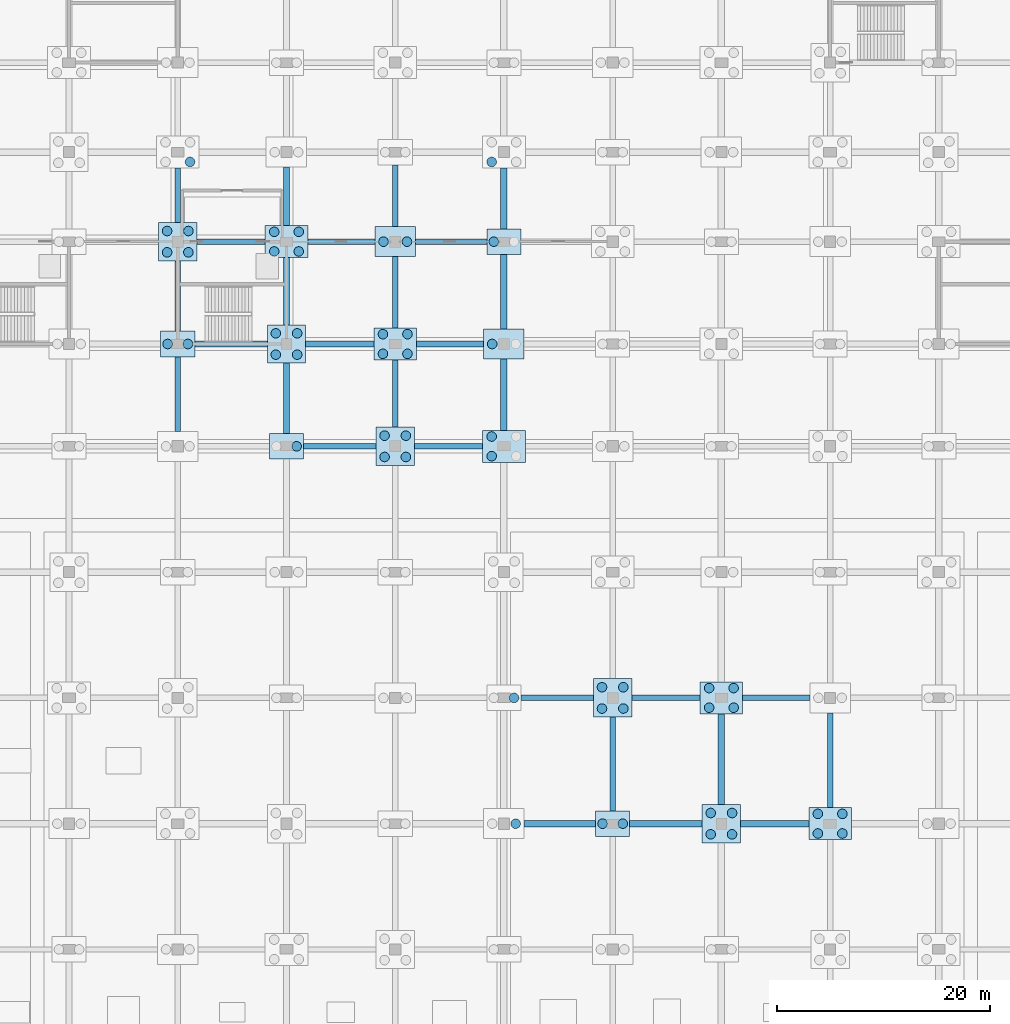
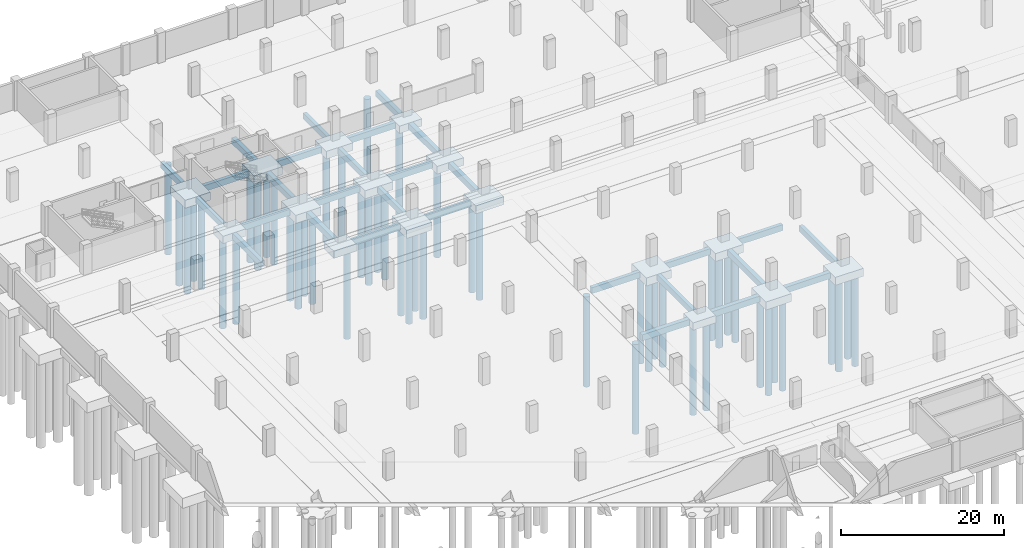
# One storey, part 7 of 52: 51 piles, 45 footings.
"""IFC4 building model written with IfcOpenShell, lengths in metres."""

from ifc_helpers import new_model, si_unit, direction, frame, origin, origin_2d, place, context, subcontext, project, spatial, polyline, rectangle, circle, outline, extrude, material, material_profile, profile_set, type_object, element, save


model = new_model("IFC4")

# Units and contexts
model_context = context("Model", 3, precision=1e-05, world=origin(), true_north=direction((0.0, 1.0)))
body_context = subcontext(model_context, "Body", "Model", "MODEL_VIEW")
ifc_project = project(units=[si_unit("LENGTHUNIT", "METRE"), si_unit("AREAUNIT", "SQUARE_METRE"), si_unit("VOLUMEUNIT", "CUBIC_METRE"), si_unit("PLANEANGLEUNIT", "RADIAN"), si_unit("MASSUNIT", "GRAM", prefix="KILO")], contexts=[model_context])

# Site, building, storey
site_placement = place(None, origin())
site = spatial("IfcSite", under=ifc_project, at=site_placement, CompositionType="ELEMENT")
building_placement = place(site_placement, origin())
building = spatial("IfcBuilding", under=site, at=building_placement, Name="Brelvane Convention Centre", CompositionType="ELEMENT")
storey_placement = place(building_placement, frame((0.0, 0.0, -4.5)))
storey = spatial("IfcBuildingStorey", under=building, at=storey_placement, Name="B1", CompositionType="ELEMENT", Elevation=-4.5)

# Piles
ifc_material_1 = material(Name="Concrete M40", Category="concrete")
ifc_material_profile_1 = material_profile(ifc_material_1, circle(Radius=0.449951171875, at=origin_2d()), Name="PILE D900")
ifc_profile_set_1 = profile_set([ifc_material_profile_1], Name="Concrete M40")
pile_type = type_object("IfcPileType", Name="Bored Pile PL-900", PredefinedType="BORED", material=ifc_profile_set_1)
for number, where, z_axis, x_axis, name in (
    (1, (29.64990234375, 109.199951171875, -1.449951171875), (0.0, 0.0, -1.0), (1.0, 0.0, 0.0), "Bored Pile PL-900 4-L-1"),
    (2, (31.550048828125, 109.199951171875, -1.449951171875), (0.0, 0.0, -1.0), (1.0, 0.0, 0.0), "Bored Pile PL-900 4-L-2"),
):
    element("IfcPile", number, at=place(storey_placement, frame(where, z_axis=z_axis, x_axis=x_axis)), inside=storey, type_object=pile_type, Name=name, PredefinedType="BORED", context=body_context, shape_type="SweptSolid", body=[
        extrude(circle(Radius=0.449951171875, at=origin_2d()), origin(), (0.0, 0.0, 1.0), 13.550048828125),
    ])
for number, where, z_axis, x_axis, name in (
    (3, (29.60009765625, 117.800048828125, -1.550048828125), (0.0, 0.0, -1.0), (1.0, 0.0, 0.0), "Bored Pile PL-900 4-M-1"),
    (4, (31.60009765625, 117.800048828125, -1.550048828125), (0.0, 0.0, -1.0), (1.0, 0.0, 0.0), "Bored Pile PL-900 4-M-2"),
    (5, (29.60009765625, 119.800048828125, -1.550048828125), (0.0, 0.0, -1.0), (1.0, 0.0, 0.0), "Bored Pile PL-900 4-M-3"),
    (6, (31.60009765625, 119.800048828125, -1.550048828125), (0.0, 0.0, -1.0), (1.0, 0.0, 0.0), "Bored Pile PL-900 4-M-4"),
    (7, (31.75, 126.280029296875, -1.550048828125), (0.0, 0.0, -1.0), (1.0, 0.0, 0.0), "Bored Pile PL-900 4-N-2"),
):
    element("IfcPile", number, at=place(storey_placement, frame(where, z_axis=z_axis, x_axis=x_axis)), inside=storey, type_object=pile_type, Name=name, PredefinedType="BORED", context=body_context, shape_type="SweptSolid", body=[
        extrude(circle(Radius=0.449951171875, at=origin_2d()), origin(), (0.0, 0.0, 1.0), 13.449951171875),
    ])
pile_1_placement = place(storey_placement, frame((41.75, 99.60009765625, -1.449951171875), z_axis=(0.0, 0.0, -1.0), x_axis=(1.0, 0.0, 0.0)))
element("IfcPile", 8, at=pile_1_placement, inside=storey, type_object=pile_type, Name="Bored Pile PL-900 5-K-2", PredefinedType="BORED", context=body_context, shape_type="SweptSolid", body=[
    extrude(circle(Radius=0.449951171875, at=origin_2d()), origin(), (0.0, 0.0, 1.0), 13.550048828125),
])
for number, where, z_axis, x_axis, name in (
    (9, (39.800048828125, 108.199951171875, -1.550048828125), (0.0, 0.0, -1.0), (1.0, 0.0, 0.0), "Bored Pile PL-900 5-L-1"),
    (10, (41.800048828125, 108.199951171875, -1.550048828125), (0.0, 0.0, -1.0), (1.0, 0.0, 0.0), "Bored Pile PL-900 5-L-2"),
    (11, (39.800048828125, 110.199951171875, -1.550048828125), (0.0, 0.0, -1.0), (1.0, 0.0, 0.0), "Bored Pile PL-900 5-L-3"),
    (12, (41.800048828125, 110.199951171875, -1.550048828125), (0.0, 0.0, -1.0), (1.0, 0.0, 0.0), "Bored Pile PL-900 5-L-4"),
    (13, (39.64990234375, 117.8798828125, -1.550048828125), (0.0, 0.0, -1.0), (1.0, 0.0, 0.0), "Bored Pile PL-900 5-M-1"),
    (14, (41.949951171875, 117.8798828125, -1.550048828125), (0.0, 0.0, -1.0), (1.0, 0.0, 0.0), "Bored Pile PL-900 5-M-2"),
    (15, (39.64990234375, 119.719970703125, -1.550048828125), (0.0, 0.0, -1.0), (1.0, 0.0, 0.0), "Bored Pile PL-900 5-M-3"),
    (16, (41.949951171875, 119.719970703125, -1.550048828125), (0.0, 0.0, -1.0), (1.0, 0.0, 0.0), "Bored Pile PL-900 5-M-4"),
    (17, (50.0, 98.60009765625, -1.550048828125), (0.0, 0.0, -1.0), (1.0, 0.0, 0.0), "Bored Pile PL-900 6-K-1"),
    (18, (52.0, 98.60009765625, -1.550048828125), (0.0, 0.0, -1.0), (1.0, 0.0, 0.0), "Bored Pile PL-900 6-K-2"),
    (19, (50.0, 100.60009765625, -1.550048828125), (0.0, 0.0, -1.0), (1.0, 0.0, 0.0), "Bored Pile PL-900 6-K-3"),
    (20, (52.0, 100.60009765625, -1.550048828125), (0.0, 0.0, -1.0), (1.0, 0.0, 0.0), "Bored Pile PL-900 6-K-4"),
    (21, (49.85009765625, 108.280029296875, -1.550048828125), (0.0, 0.0, -1.0), (1.0, 0.0, 0.0), "Bored Pile PL-900 6-L-1"),
    (22, (52.14990234375, 108.280029296875, -1.550048828125), (0.0, 0.0, -1.0), (1.0, 0.0, 0.0), "Bored Pile PL-900 6-L-2"),
    (23, (49.85009765625, 110.1201171875, -1.550048828125), (0.0, 0.0, -1.0), (1.0, 0.0, 0.0), "Bored Pile PL-900 6-L-3"),
    (24, (52.14990234375, 110.1201171875, -1.550048828125), (0.0, 0.0, -1.0), (1.0, 0.0, 0.0), "Bored Pile PL-900 6-L-4"),
):
    element("IfcPile", number, at=place(storey_placement, frame(where, z_axis=z_axis, x_axis=x_axis)), inside=storey, type_object=pile_type, Name=name, PredefinedType="BORED", context=body_context, shape_type="SweptSolid", body=[
        extrude(circle(Radius=0.449951171875, at=origin_2d()), origin(), (0.0, 0.0, 1.0), 13.449951171875),
    ])
for number, where, z_axis, x_axis, name in (
    (25, (49.89990234375, 118.800048828125, -1.5), (0.0, 0.0, -1.0), (1.0, 0.0, 0.0), "Bored Pile PL-900 6-M-1"),
    (26, (52.10009765625, 118.800048828125, -1.5), (0.0, 0.0, -1.0), (1.0, 0.0, 0.0), "Bored Pile PL-900 6-M-2"),
    (27, (62.300048828125, 64.199951171875, -1.5), (0.0, 0.0, -1.0), (1.0, 0.0, 0.0), "Bored Pile PL-900 7-G-2"),
):
    element("IfcPile", number, at=place(storey_placement, frame(where, z_axis=z_axis, x_axis=x_axis)), inside=storey, type_object=pile_type, Name=name, PredefinedType="BORED", context=body_context, shape_type="SweptSolid", body=[
        extrude(circle(Radius=0.449951171875, at=origin_2d()), origin(), (0.0, 0.0, 1.0), 13.5),
    ])
pile_2_placement = place(storey_placement, frame((62.14990234375, 76.0, -1.449951171875), z_axis=(0.0, 0.0, -1.0), x_axis=(1.0, 0.0, 0.0)))
element("IfcPile", 28, at=pile_2_placement, inside=storey, type_object=pile_type, Name="Bored Pile PL-900 7-H-2", PredefinedType="BORED", context=body_context, shape_type="SweptSolid", body=[
    extrude(circle(Radius=0.449951171875, at=origin_2d()), origin(), (0.0, 0.0, 1.0), 13.550048828125),
])
for number, where, z_axis, x_axis, name in (
    (29, (60.050048828125, 98.679931640625, -1.550048828125), (0.0, 0.0, -1.0), (1.0, 0.0, 0.0), "Bored Pile PL-900 7-K-1"),
    (30, (60.050048828125, 100.52001953125, -1.550048828125), (0.0, 0.0, -1.0), (1.0, 0.0, 0.0), "Bored Pile PL-900 7-K-3"),
):
    element("IfcPile", number, at=place(storey_placement, frame(where, z_axis=z_axis, x_axis=x_axis)), inside=storey, type_object=pile_type, Name=name, PredefinedType="BORED", context=body_context, shape_type="SweptSolid", body=[
        extrude(circle(Radius=0.449951171875, at=origin_2d()), origin(), (0.0, 0.0, 1.0), 13.449951171875),
    ])
pile_3_placement = place(storey_placement, frame((60.10009765625, 109.199951171875, -1.5), z_axis=(0.0, 0.0, -1.0), x_axis=(1.0, 0.0, 0.0)))
element("IfcPile", 31, at=pile_3_placement, inside=storey, type_object=pile_type, Name="Bored Pile PL-900 7-L-1", PredefinedType="BORED", context=body_context, shape_type="SweptSolid", body=[
    extrude(circle(Radius=0.449951171875, at=origin_2d()), origin(), (0.0, 0.0, 1.0), 13.5),
])
pile_4_placement = place(storey_placement, frame((60.25, 118.800048828125, -1.449951171875), z_axis=(0.0, 0.0, -1.0), x_axis=(1.0, 0.0, 0.0)))
element("IfcPile", 32, at=pile_4_placement, inside=storey, type_object=pile_type, Name="Bored Pile PL-900 7-M-1", PredefinedType="BORED", context=body_context, shape_type="SweptSolid", body=[
    extrude(circle(Radius=0.449951171875, at=origin_2d()), origin(), (0.0, 0.0, 1.0), 13.550048828125),
])
pile_5_placement = place(storey_placement, frame((60.050048828125, 126.280029296875, -1.550048828125), z_axis=(0.0, 0.0, -1.0), x_axis=(1.0, 0.0, 0.0)))
element("IfcPile", 33, at=pile_5_placement, inside=storey, type_object=pile_type, Name="Bored Pile PL-900 7-N-1", PredefinedType="BORED", context=body_context, shape_type="SweptSolid", body=[
    extrude(circle(Radius=0.449951171875, at=origin_2d()), origin(), (0.0, 0.0, 1.0), 13.449951171875),
])
for number, where, z_axis, x_axis, name in (
    (34, (70.449951171875, 64.199951171875, -1.449951171875), (0.0, 0.0, -1.0), (1.0, 0.0, 0.0), "Bored Pile PL-900 8-G-1"),
    (35, (72.35009765625, 64.199951171875, -1.449951171875), (0.0, 0.0, -1.0), (1.0, 0.0, 0.0), "Bored Pile PL-900 8-G-2"),
):
    element("IfcPile", number, at=place(storey_placement, frame(where, z_axis=z_axis, x_axis=x_axis)), inside=storey, type_object=pile_type, Name=name, PredefinedType="BORED", context=body_context, shape_type="SweptSolid", body=[
        extrude(circle(Radius=0.449951171875, at=origin_2d()), origin(), (0.0, 0.0, 1.0), 13.550048828125),
    ])
for number, where, z_axis, x_axis, name in (
    (36, (70.39990234375, 75.0, -1.550048828125), (0.0, 0.0, -1.0), (1.0, 0.0, 0.0), "Bored Pile PL-900 8-H-1"),
    (37, (72.39990234375, 75.0, -1.550048828125), (0.0, 0.0, -1.0), (1.0, 0.0, 0.0), "Bored Pile PL-900 8-H-2"),
    (38, (70.39990234375, 77.0, -1.550048828125), (0.0, 0.0, -1.0), (1.0, 0.0, 0.0), "Bored Pile PL-900 8-H-3"),
    (39, (72.39990234375, 77.0, -1.550048828125), (0.0, 0.0, -1.0), (1.0, 0.0, 0.0), "Bored Pile PL-900 8-H-4"),
    (40, (80.60009765625, 63.199951171875, -1.550048828125), (0.0, 0.0, -1.0), (1.0, 0.0, 0.0), "Bored Pile PL-900 9-G-1"),
    (41, (82.60009765625, 63.199951171875, -1.550048828125), (0.0, 0.0, -1.0), (1.0, 0.0, 0.0), "Bored Pile PL-900 9-G-2"),
    (42, (80.60009765625, 65.199951171875, -1.550048828125), (0.0, 0.0, -1.0), (1.0, 0.0, 0.0), "Bored Pile PL-900 9-G-3"),
    (43, (82.60009765625, 65.199951171875, -1.550048828125), (0.0, 0.0, -1.0), (1.0, 0.0, 0.0), "Bored Pile PL-900 9-G-4"),
    (44, (80.449951171875, 75.080078125, -1.550048828125), (0.0, 0.0, -1.0), (1.0, 0.0, 0.0), "Bored Pile PL-900 9-H-1"),
    (45, (82.75, 75.080078125, -1.550048828125), (0.0, 0.0, -1.0), (1.0, 0.0, 0.0), "Bored Pile PL-900 9-H-2"),
    (46, (80.449951171875, 76.919921875, -1.550048828125), (0.0, 0.0, -1.0), (1.0, 0.0, 0.0), "Bored Pile PL-900 9-H-3"),
    (47, (82.75, 76.919921875, -1.550048828125), (0.0, 0.0, -1.0), (1.0, 0.0, 0.0), "Bored Pile PL-900 9-H-4"),
    (48, (90.64990234375, 63.280029296875, -1.550048828125), (0.0, 0.0, -1.0), (1.0, 0.0, 0.0), "Bored Pile PL-900 10-G-1"),
    (49, (92.949951171875, 63.280029296875, -1.550048828125), (0.0, 0.0, -1.0), (1.0, 0.0, 0.0), "Bored Pile PL-900 10-G-2"),
    (50, (90.64990234375, 65.1201171875, -1.550048828125), (0.0, 0.0, -1.0), (1.0, 0.0, 0.0), "Bored Pile PL-900 10-G-3"),
    (51, (92.949951171875, 65.1201171875, -1.550048828125), (0.0, 0.0, -1.0), (1.0, 0.0, 0.0), "Bored Pile PL-900 10-G-4"),
):
    element("IfcPile", number, at=place(storey_placement, frame(where, z_axis=z_axis, x_axis=x_axis)), inside=storey, type_object=pile_type, Name=name, PredefinedType="BORED", context=body_context, shape_type="SweptSolid", body=[
        extrude(circle(Radius=0.449951171875, at=origin_2d()), origin(), (0.0, 0.0, 1.0), 13.449951171875),
    ])

# Footings
ifc_material_2 = material(Name="Concrete M40", Category="concrete")
ifc_material_profile_2 = material_profile(ifc_material_2, rectangle(XDim=0.60009765625, YDim=0.89990234375, at=origin_2d()), Name="RC 600x900")
ifc_profile_set_2 = profile_set([ifc_material_profile_2], Name="Concrete M40")
footing_type_1 = type_object("IfcFootingType", Name="Ground Tie Beam GB-1", PredefinedType="FOOTING_BEAM", material=ifc_profile_set_2)
footing_1_placement = place(storey_placement, frame((32.199951171875, 109.199951171875, -0.89990234375), z_axis=(1.0, 0.0, 0.0), x_axis=(0.0, 1.0, 0.0)))
element("IfcFooting", 52, at=footing_1_placement, inside=storey, type_object=footing_type_1, Name="Ground Tie Beam GB-1 4-5/L", PredefinedType="FOOTING_BEAM", context=body_context, shape_type="SweptSolid", body=[
    extrude(rectangle(XDim=0.60009765625, YDim=0.89990234375, at=origin_2d()), origin(), (0.0, 0.0, 1.0), 6.800048828125),
])
footing_2_placement = place(storey_placement, frame((40.800048828125, 100.800048828125, -0.89990234375), z_axis=(0.0, 1.0, 0.0), x_axis=(-1.0, 0.0, 0.0)))
element("IfcFooting", 53, at=footing_2_placement, inside=storey, type_object=footing_type_1, Name="Ground Tie Beam GB-1 5/K-L", PredefinedType="FOOTING_BEAM", context=body_context, shape_type="SweptSolid", body=[
    extrude(rectangle(XDim=0.60009765625, YDim=0.89990234375, at=origin_2d()), origin(), (0.0, 0.0, 1.0), 6.599853515625),
])
footing_3_placement = place(storey_placement, frame((42.60009765625, 109.199951171875, -0.89990234375), z_axis=(1.0, 0.0, 0.0), x_axis=(0.0, 1.0, 0.0)))
element("IfcFooting", 54, at=footing_3_placement, inside=storey, type_object=footing_type_1, Name="Ground Tie Beam GB-1 5-6/L", PredefinedType="FOOTING_BEAM", context=body_context, shape_type="SweptSolid", body=[
    extrude(rectangle(XDim=0.60009765625, YDim=0.89990234375, at=origin_2d()), origin(), (0.0, 0.0, 1.0), 6.39990234375),
])
footing_4_placement = place(storey_placement, frame((40.800048828125, 111.0, -0.89990234375), z_axis=(0.0, 1.0, 0.0), x_axis=(-1.0, 0.0, 0.0)))
element("IfcFooting", 55, at=footing_4_placement, inside=storey, type_object=footing_type_1, Name="Ground Tie Beam GB-1 5/L-M", PredefinedType="FOOTING_BEAM", context=body_context, shape_type="SweptSolid", body=[
    extrude(rectangle(XDim=0.60009765625, YDim=0.89990234375, at=origin_2d()), origin(), (0.0, 0.0, 1.0), 6.300048828125),
])
footing_5_placement = place(storey_placement, frame((40.800048828125, 120.300048828125, -0.89990234375), z_axis=(0.0, 1.0, 0.0), x_axis=(-1.0, 0.0, 0.0)))
element("IfcFooting", 56, at=footing_5_placement, inside=storey, type_object=footing_type_1, Name="Ground Tie Beam GB-1 5/M-N", PredefinedType="FOOTING_BEAM", context=body_context, shape_type="SweptSolid", body=[
    extrude(rectangle(XDim=0.60009765625, YDim=0.89990234375, at=origin_2d()), origin(), (0.0, 0.0, 1.0), 5.5),
])
footing_6_placement = place(storey_placement, frame((53.0, 109.199951171875, -0.89990234375), z_axis=(1.0, 0.0, 0.0), x_axis=(0.0, 1.0, 0.0)))
element("IfcFooting", 57, at=footing_6_placement, inside=storey, type_object=footing_type_1, Name="Ground Tie Beam GB-1 6-7/L", PredefinedType="FOOTING_BEAM", context=body_context, shape_type="SweptSolid", body=[
    extrude(rectangle(XDim=0.60009765625, YDim=0.89990234375, at=origin_2d()), origin(), (0.0, 0.0, 1.0), 6.300048828125),
])
for number, where, z_axis, x_axis, name in (
    (58, (63.10009765625, 64.199951171875, -0.89990234375), (1.0, 0.0, 0.0), (0.0, 1.0, 0.0), "Ground Tie Beam GB-1 7-8/G"),
    (59, (61.199951171875, 101.10009765625, -0.89990234375), (0.0, 1.0, 0.0), (-1.0, 0.0, 0.0), "Ground Tie Beam GB-1 7/K-L"),
):
    element("IfcFooting", number, at=place(storey_placement, frame(where, z_axis=z_axis, x_axis=x_axis)), inside=storey, type_object=footing_type_1, Name=name, PredefinedType="FOOTING_BEAM", context=body_context, shape_type="SweptSolid", body=[
        extrude(rectangle(XDim=0.60009765625, YDim=0.89990234375, at=origin_2d()), origin(), (0.0, 0.0, 1.0), 6.699951171875),
    ])
footing_7_placement = place(storey_placement, frame((61.199951171875, 110.60009765625, -0.89990234375), z_axis=(0.0, 1.0, 0.0), x_axis=(-1.0, 0.0, 0.0)))
element("IfcFooting", 60, at=footing_7_placement, inside=storey, type_object=footing_type_1, Name="Ground Tie Beam GB-1 7/L-M", PredefinedType="FOOTING_BEAM", context=body_context, shape_type="SweptSolid", body=[
    extrude(rectangle(XDim=0.60009765625, YDim=0.89990234375, at=origin_2d()), origin(), (0.0, 0.0, 1.0), 7.0),
])
footing_8_placement = place(storey_placement, frame((61.199951171875, 120.0, -0.89990234375), z_axis=(0.0, 1.0, 0.0), x_axis=(-1.0, 0.0, 0.0)))
element("IfcFooting", 61, at=footing_8_placement, inside=storey, type_object=footing_type_1, Name="Ground Tie Beam GB-1 7/M-N", PredefinedType="FOOTING_BEAM", context=body_context, shape_type="SweptSolid", body=[
    extrude(rectangle(XDim=0.60009765625, YDim=0.89990234375, at=origin_2d()), origin(), (0.0, 0.0, 1.0), 5.699951171875),
])
footing_9_placement = place(storey_placement, frame((73.0, 64.199951171875, -0.89990234375), z_axis=(1.0, 0.0, 0.0), x_axis=(0.0, 1.0, 0.0)))
element("IfcFooting", 62, at=footing_9_placement, inside=storey, type_object=footing_type_1, Name="Ground Tie Beam GB-1 8-9/G", PredefinedType="FOOTING_BEAM", context=body_context, shape_type="SweptSolid", body=[
    extrude(rectangle(XDim=0.60009765625, YDim=0.89990234375, at=origin_2d()), origin(), (0.0, 0.0, 1.0), 6.800048828125),
])
footing_10_placement = place(storey_placement, frame((83.39990234375, 64.199951171875, -0.89990234375), z_axis=(1.0, 0.0, 0.0), x_axis=(0.0, 1.0, 0.0)))
element("IfcFooting", 63, at=footing_10_placement, inside=storey, type_object=footing_type_1, Name="Ground Tie Beam GB-1 9-10/G", PredefinedType="FOOTING_BEAM", context=body_context, shape_type="SweptSolid", body=[
    extrude(rectangle(XDim=0.60009765625, YDim=0.89990234375, at=origin_2d()), origin(), (0.0, 0.0, 1.0), 6.400146484375),
])
footing_11_placement = place(storey_placement, frame((81.60009765625, 66.0, -0.89990234375), z_axis=(0.0, 1.0, 0.0), x_axis=(-1.0, 0.0, 0.0)))
element("IfcFooting", 64, at=footing_11_placement, inside=storey, type_object=footing_type_1, Name="Ground Tie Beam GB-1 9/G-H", PredefinedType="FOOTING_BEAM", context=body_context, shape_type="SweptSolid", body=[
    extrude(rectangle(XDim=0.60009765625, YDim=0.89990234375, at=origin_2d()), origin(), (0.0, 0.0, 1.0), 8.5),
])
ifc_material_3 = material(Name="Concrete M40", Category="concrete")
ifc_material_profile_3 = material_profile(ifc_material_3, rectangle(XDim=0.5, YDim=0.89990234375, at=origin_2d()), Name="RC 500x900")
ifc_profile_set_3 = profile_set([ifc_material_profile_3], Name="Concrete M40")
footing_type_2 = type_object("IfcFootingType", Name="Ground Tie Beam GB-2", PredefinedType="FOOTING_BEAM", material=ifc_profile_set_3)
footing_12_placement = place(storey_placement, frame((30.60009765625, 101.0, -0.89990234375), z_axis=(0.0, 1.0, 0.0), x_axis=(-1.0, 0.0, 0.0)))
element("IfcFooting", 65, at=footing_12_placement, inside=storey, type_object=footing_type_2, Name="Ground Tie Beam GB-2 4/K-L", PredefinedType="FOOTING_BEAM", context=body_context, shape_type="SweptSolid", body=[
    extrude(rectangle(XDim=0.5, YDim=0.89990234375, at=origin_2d()), origin(), (0.0, 0.0, 1.0), 7.0),
])
footing_13_placement = place(storey_placement, frame((30.60009765625, 110.39990234375, -0.89990234375), z_axis=(0.0, 1.0, 0.0), x_axis=(-1.0, 0.0, 0.0)))
element("IfcFooting", 66, at=footing_13_placement, inside=storey, type_object=footing_type_2, Name="Ground Tie Beam GB-2 4/L-M", PredefinedType="FOOTING_BEAM", context=body_context, shape_type="SweptSolid", body=[
    extrude(rectangle(XDim=0.5, YDim=0.89990234375, at=origin_2d()), origin(), (0.0, 0.0, 1.0), 6.60009765625),
])
footing_14_placement = place(storey_placement, frame((32.39990234375, 118.800048828125, -0.89990234375), z_axis=(1.0, 0.0, 0.0), x_axis=(0.0, 1.0, 0.0)))
element("IfcFooting", 67, at=footing_14_placement, inside=storey, type_object=footing_type_2, Name="Ground Tie Beam GB-2 4-5/M", PredefinedType="FOOTING_BEAM", context=body_context, shape_type="SweptSolid", body=[
    extrude(rectangle(XDim=0.5, YDim=0.89990234375, at=origin_2d()), origin(), (0.0, 0.0, 1.0), 6.400146484375),
])
footing_15_placement = place(storey_placement, frame((30.60009765625, 120.60009765625, -0.89990234375), z_axis=(0.0, 1.0, 0.0), x_axis=(-1.0, 0.0, 0.0)))
element("IfcFooting", 68, at=footing_15_placement, inside=storey, type_object=footing_type_2, Name="Ground Tie Beam GB-2 4/M-N", PredefinedType="FOOTING_BEAM", context=body_context, shape_type="SweptSolid", body=[
    extrude(rectangle(XDim=0.5, YDim=0.89990234375, at=origin_2d()), origin(), (0.0, 0.0, 1.0), 5.099853515625),
])
footing_16_placement = place(storey_placement, frame((42.39990234375, 99.60009765625, -0.89990234375), z_axis=(1.0, 0.0, 0.0), x_axis=(0.0, 1.0, 0.0)))
element("IfcFooting", 69, at=footing_16_placement, inside=storey, type_object=footing_type_2, Name="Ground Tie Beam GB-2 5-6/K", PredefinedType="FOOTING_BEAM", context=body_context, shape_type="SweptSolid", body=[
    extrude(rectangle(XDim=0.5, YDim=0.89990234375, at=origin_2d()), origin(), (0.0, 0.0, 1.0), 6.800048828125),
])
footing_17_placement = place(storey_placement, frame((42.800048828125, 118.800048828125, -0.89990234375), z_axis=(1.0, 0.0, 0.0), x_axis=(0.0, 1.0, 0.0)))
element("IfcFooting", 70, at=footing_17_placement, inside=storey, type_object=footing_type_2, Name="Ground Tie Beam GB-2 5-6/M", PredefinedType="FOOTING_BEAM", context=body_context, shape_type="SweptSolid", body=[
    extrude(rectangle(XDim=0.5, YDim=0.89990234375, at=origin_2d()), origin(), (0.0, 0.0, 1.0), 6.300048828125),
])
footing_18_placement = place(storey_placement, frame((52.800048828125, 99.60009765625, -0.89990234375), z_axis=(1.0, 0.0, 0.0), x_axis=(0.0, 1.0, 0.0)))
element("IfcFooting", 71, at=footing_18_placement, inside=storey, type_object=footing_type_2, Name="Ground Tie Beam GB-2 6-7/K", PredefinedType="FOOTING_BEAM", context=body_context, shape_type="SweptSolid", body=[
    extrude(rectangle(XDim=0.5, YDim=0.89990234375, at=origin_2d()), origin(), (0.0, 0.0, 1.0), 6.39990234375),
])
footing_19_placement = place(storey_placement, frame((51.0, 101.39990234375, -0.89990234375), z_axis=(0.0, 1.0, 0.0), x_axis=(-1.0, 0.0, 0.0)))
element("IfcFooting", 72, at=footing_19_placement, inside=storey, type_object=footing_type_2, Name="Ground Tie Beam GB-2 6/K-L", PredefinedType="FOOTING_BEAM", context=body_context, shape_type="SweptSolid", body=[
    extrude(rectangle(XDim=0.5, YDim=0.89990234375, at=origin_2d()), origin(), (0.0, 0.0, 1.0), 6.300048828125),
])
footing_20_placement = place(storey_placement, frame((51.0, 110.699951171875, -0.89990234375), z_axis=(0.0, 1.0, 0.0), x_axis=(-1.0, 0.0, 0.0)))
element("IfcFooting", 73, at=footing_20_placement, inside=storey, type_object=footing_type_2, Name="Ground Tie Beam GB-2 6/L-M", PredefinedType="FOOTING_BEAM", context=body_context, shape_type="SweptSolid", body=[
    extrude(rectangle(XDim=0.5, YDim=0.89990234375, at=origin_2d()), origin(), (0.0, 0.0, 1.0), 6.699951171875),
])
footing_21_placement = place(storey_placement, frame((52.89990234375, 118.800048828125, -0.89990234375), z_axis=(1.0, 0.0, 0.0), x_axis=(0.0, 1.0, 0.0)))
element("IfcFooting", 74, at=footing_21_placement, inside=storey, type_object=footing_type_2, Name="Ground Tie Beam GB-2 6-7/M", PredefinedType="FOOTING_BEAM", context=body_context, shape_type="SweptSolid", body=[
    extrude(rectangle(XDim=0.5, YDim=0.89990234375, at=origin_2d()), origin(), (0.0, 0.0, 1.0), 6.7001953125),
])
footing_22_placement = place(storey_placement, frame((51.0, 120.199951171875, -0.89990234375), z_axis=(0.0, 1.0, 0.0), x_axis=(-1.0, 0.0, 0.0)))
element("IfcFooting", 75, at=footing_22_placement, inside=storey, type_object=footing_type_2, Name="Ground Tie Beam GB-2 6/M-N", PredefinedType="FOOTING_BEAM", context=body_context, shape_type="SweptSolid", body=[
    extrude(rectangle(XDim=0.5, YDim=0.89990234375, at=origin_2d()), origin(), (0.0, 0.0, 1.0), 5.800048828125),
])
footing_23_placement = place(storey_placement, frame((62.800048828125, 76.0, -0.89990234375), z_axis=(1.0, 0.0, 0.0), x_axis=(0.0, 1.0, 0.0)))
element("IfcFooting", 76, at=footing_23_placement, inside=storey, type_object=footing_type_2, Name="Ground Tie Beam GB-2 7-8/H", PredefinedType="FOOTING_BEAM", context=body_context, shape_type="SweptSolid", body=[
    extrude(rectangle(XDim=0.5, YDim=0.89990234375, at=origin_2d()), origin(), (0.0, 0.0, 1.0), 6.800048828125),
])
footing_24_placement = place(storey_placement, frame((71.39990234375, 65.39990234375, -0.89990234375), z_axis=(0.0, 1.0, 0.0), x_axis=(-1.0, 0.0, 0.0)))
element("IfcFooting", 77, at=footing_24_placement, inside=storey, type_object=footing_type_2, Name="Ground Tie Beam GB-2 8/G-H", PredefinedType="FOOTING_BEAM", context=body_context, shape_type="SweptSolid", body=[
    extrude(rectangle(XDim=0.5, YDim=0.89990234375, at=origin_2d()), origin(), (0.0, 0.0, 1.0), 8.800048828125),
])
footing_25_placement = place(storey_placement, frame((73.199951171875, 76.0, -0.89990234375), z_axis=(1.0, 0.0, 0.0), x_axis=(0.0, 1.0, 0.0)))
element("IfcFooting", 78, at=footing_25_placement, inside=storey, type_object=footing_type_2, Name="Ground Tie Beam GB-2 8-9/H", PredefinedType="FOOTING_BEAM", context=body_context, shape_type="SweptSolid", body=[
    extrude(rectangle(XDim=0.5, YDim=0.89990234375, at=origin_2d()), origin(), (0.0, 0.0, 1.0), 6.400146484375),
])
footing_26_placement = place(storey_placement, frame((83.60009765625, 76.0, -0.89990234375), z_axis=(1.0, 0.0, 0.0), x_axis=(0.0, 1.0, 0.0)))
element("IfcFooting", 79, at=footing_26_placement, inside=storey, type_object=footing_type_2, Name="Ground Tie Beam GB-2 9-10/H", PredefinedType="FOOTING_BEAM", context=body_context, shape_type="SweptSolid", body=[
    extrude(rectangle(XDim=0.5, YDim=0.89990234375, at=origin_2d()), origin(), (0.0, 0.0, 1.0), 6.2998046875),
])
footing_27_placement = place(storey_placement, frame((91.800048828125, 65.699951171875, -0.89990234375), z_axis=(0.0, 1.0, 0.0), x_axis=(-1.0, 0.0, 0.0)))
element("IfcFooting", 80, at=footing_27_placement, inside=storey, type_object=footing_type_2, Name="Ground Tie Beam GB-2 10/G-H", PredefinedType="FOOTING_BEAM", context=body_context, shape_type="SweptSolid", body=[
    extrude(rectangle(XDim=0.5, YDim=0.89990234375, at=origin_2d()), origin(), (0.0, 0.0, 1.0), 8.900146484375),
])
ifc_material_4 = material(Name="Concrete M40", Category="concrete")
footing_type_3 = type_object("IfcFootingType", Name="Pile Cap PC-2", PredefinedType="PILE_CAP", material=ifc_material_4)
footing_28_placement = place(storey_placement, frame((0.0, 0.0, -1.550048828125)))
element("IfcFooting", 81, at=footing_28_placement, inside=storey, type_object=footing_type_3, Name="Pile Cap PC-2 at 4-L", PredefinedType="PILE_CAP", context=body_context, shape_type="SweptSolid", body=[
    extrude(outline(polyline([(29.0, 108.0), (32.199951171875, 108.0), (32.199951171875, 110.39990234375), (29.0, 110.39990234375), (29.0, 108.0)])), origin(), (0.0, 0.0, 1.0), 1.10009765625),
])
footing_29_placement = place(storey_placement, frame((0.0, 0.0, -1.550048828125)))
element("IfcFooting", 82, at=footing_29_placement, inside=storey, type_object=footing_type_3, Name="Pile Cap PC-2 at 5-K", PredefinedType="PILE_CAP", context=body_context, shape_type="SweptSolid", body=[
    extrude(outline(polyline([(39.199951171875, 98.39990234375), (42.39990234375, 98.39990234375), (42.39990234375, 100.800048828125), (39.199951171875, 100.800048828125), (39.199951171875, 98.39990234375)])), origin(), (0.0, 0.0, 1.0), 1.10009765625),
])
footing_30_placement = place(storey_placement, frame((0.0, 0.0, -1.550048828125)))
element("IfcFooting", 83, at=footing_30_placement, inside=storey, type_object=footing_type_3, Name="Pile Cap PC-2 at 7-M", PredefinedType="PILE_CAP", context=body_context, shape_type="SweptSolid", body=[
    extrude(outline(polyline([(59.60009765625, 117.60009765625), (62.800048828125, 117.60009765625), (62.800048828125, 120.0), (59.60009765625, 120.0), (59.60009765625, 117.60009765625)])), origin(), (0.0, 0.0, 1.0), 1.10009765625),
])
footing_31_placement = place(storey_placement, frame((0.0, 0.0, -1.550048828125)))
element("IfcFooting", 84, at=footing_31_placement, inside=storey, type_object=footing_type_3, Name="Pile Cap PC-2 at 8-G", PredefinedType="PILE_CAP", context=body_context, shape_type="SweptSolid", body=[
    extrude(outline(polyline([(69.800048828125, 63.0), (73.0, 63.0), (73.0, 65.39990234375), (69.800048828125, 65.39990234375), (69.800048828125, 63.0)])), origin(), (0.0, 0.0, 1.0), 1.10009765625),
])
ifc_material_5 = material(Name="Concrete M40", Category="concrete")
footing_type_4 = type_object("IfcFootingType", Name="Pile Cap PC-3", PredefinedType="PILE_CAP", material=ifc_material_5)
footing_32_placement = place(storey_placement, frame((0.0, 0.0, -1.64990234375)))
element("IfcFooting", 85, at=footing_32_placement, inside=storey, type_object=footing_type_4, Name="Pile Cap PC-3 at 4-M", PredefinedType="PILE_CAP", context=body_context, shape_type="SweptSolid", body=[
    extrude(outline(polyline([(28.800048828125, 117.0), (32.39990234375, 117.0), (32.39990234375, 120.60009765625), (28.800048828125, 120.60009765625), (28.800048828125, 117.0)])), origin(), (0.0, 0.0, 1.0), 1.199951171875),
])
footing_33_placement = place(storey_placement, frame((0.0, 0.0, -1.64990234375)))
element("IfcFooting", 86, at=footing_33_placement, inside=storey, type_object=footing_type_4, Name="Pile Cap PC-3 at 5-L", PredefinedType="PILE_CAP", context=body_context, shape_type="SweptSolid", body=[
    extrude(outline(polyline([(39.0, 107.39990234375), (42.60009765625, 107.39990234375), (42.60009765625, 111.0), (39.0, 111.0), (39.0, 107.39990234375)])), origin(), (0.0, 0.0, 1.0), 1.199951171875),
])
footing_34_placement = place(storey_placement, frame((0.0, 0.0, -1.64990234375)))
element("IfcFooting", 87, at=footing_34_placement, inside=storey, type_object=footing_type_4, Name="Pile Cap PC-3 at 6-K", PredefinedType="PILE_CAP", context=body_context, shape_type="SweptSolid", body=[
    extrude(outline(polyline([(49.199951171875, 97.800048828125), (52.800048828125, 97.800048828125), (52.800048828125, 101.39990234375), (49.199951171875, 101.39990234375), (49.199951171875, 97.800048828125)])), origin(), (0.0, 0.0, 1.0), 1.199951171875),
])
footing_35_placement = place(storey_placement, frame((0.0, 0.0, -1.64990234375)))
element("IfcFooting", 88, at=footing_35_placement, inside=storey, type_object=footing_type_4, Name="Pile Cap PC-3 at 8-H", PredefinedType="PILE_CAP", context=body_context, shape_type="SweptSolid", body=[
    extrude(outline(polyline([(69.60009765625, 74.199951171875), (73.199951171875, 74.199951171875), (73.199951171875, 77.800048828125), (69.60009765625, 77.800048828125), (69.60009765625, 74.199951171875)])), origin(), (0.0, 0.0, 1.0), 1.199951171875),
])
footing_36_placement = place(storey_placement, frame((0.0, 0.0, -1.64990234375)))
element("IfcFooting", 89, at=footing_36_placement, inside=storey, type_object=footing_type_4, Name="Pile Cap PC-3 at 9-G", PredefinedType="PILE_CAP", context=body_context, shape_type="SweptSolid", body=[
    extrude(outline(polyline([(79.800048828125, 62.39990234375), (83.39990234375, 62.39990234375), (83.39990234375, 66.0), (79.800048828125, 66.0), (79.800048828125, 62.39990234375)])), origin(), (0.0, 0.0, 1.0), 1.199951171875),
])
ifc_material_6 = material(Name="Concrete M40", Category="concrete")
footing_type_5 = type_object("IfcFootingType", Name="Pile Cap PC-4", PredefinedType="PILE_CAP", material=ifc_material_6)
footing_37_placement = place(storey_placement, frame((0.0, 0.0, -1.64990234375)))
element("IfcFooting", 90, at=footing_37_placement, inside=storey, type_object=footing_type_5, Name="Pile Cap PC-4 at 5-M", PredefinedType="PILE_CAP", context=body_context, shape_type="SweptSolid", body=[
    extrude(outline(polyline([(38.800048828125, 117.300048828125), (42.800048828125, 117.300048828125), (42.800048828125, 120.300048828125), (38.800048828125, 120.300048828125), (38.800048828125, 117.300048828125)])), origin(), (0.0, 0.0, 1.0), 1.199951171875),
])
footing_38_placement = place(storey_placement, frame((0.0, 0.0, -1.64990234375)))
element("IfcFooting", 91, at=footing_38_placement, inside=storey, type_object=footing_type_5, Name="Pile Cap PC-4 at 6-L", PredefinedType="PILE_CAP", context=body_context, shape_type="SweptSolid", body=[
    extrude(outline(polyline([(49.0, 107.699951171875), (53.0, 107.699951171875), (53.0, 110.699951171875), (49.0, 110.699951171875), (49.0, 107.699951171875)])), origin(), (0.0, 0.0, 1.0), 1.199951171875),
])
footing_39_placement = place(storey_placement, frame((0.0, 0.0, -1.64990234375)))
element("IfcFooting", 92, at=footing_39_placement, inside=storey, type_object=footing_type_5, Name="Pile Cap PC-4 at 7-K", PredefinedType="PILE_CAP", context=body_context, shape_type="SweptSolid", body=[
    extrude(outline(polyline([(59.199951171875, 98.10009765625), (63.199951171875, 98.10009765625), (63.199951171875, 101.10009765625), (59.199951171875, 101.10009765625), (59.199951171875, 98.10009765625)])), origin(), (0.0, 0.0, 1.0), 1.199951171875),
])
footing_40_placement = place(storey_placement, frame((0.0, 0.0, -1.64990234375)))
element("IfcFooting", 93, at=footing_40_placement, inside=storey, type_object=footing_type_5, Name="Pile Cap PC-4 at 9-H", PredefinedType="PILE_CAP", context=body_context, shape_type="SweptSolid", body=[
    extrude(outline(polyline([(79.60009765625, 74.5), (83.60009765625, 74.5), (83.60009765625, 77.5), (79.60009765625, 77.5), (79.60009765625, 74.5)])), origin(), (0.0, 0.0, 1.0), 1.199951171875),
])
footing_41_placement = place(storey_placement, frame((0.0, 0.0, -1.64990234375)))
element("IfcFooting", 94, at=footing_41_placement, inside=storey, type_object=footing_type_5, Name="Pile Cap PC-4 at 10-G", PredefinedType="PILE_CAP", context=body_context, shape_type="SweptSolid", body=[
    extrude(outline(polyline([(89.800048828125, 62.699951171875), (93.800048828125, 62.699951171875), (93.800048828125, 65.699951171875), (89.800048828125, 65.699951171875), (89.800048828125, 62.699951171875)])), origin(), (0.0, 0.0, 1.0), 1.199951171875),
])
ifc_material_7 = material(Name="Concrete M40", Category="concrete")
footing_type_6 = type_object("IfcFootingType", Name="Pile Cap PC-9", PredefinedType="PILE_CAP", material=ifc_material_7)
footing_42_placement = place(storey_placement, frame((0.0, 0.0, -1.60009765625)))
element("IfcFooting", 95, at=footing_42_placement, inside=storey, type_object=footing_type_6, Name="Pile Cap PC-9 at 6-M", PredefinedType="PILE_CAP", context=body_context, shape_type="SweptSolid", body=[
    extrude(outline(polyline([(49.10009765625, 117.39990234375), (52.89990234375, 117.39990234375), (52.89990234375, 120.199951171875), (49.10009765625, 120.199951171875), (49.10009765625, 117.39990234375)])), origin(), (0.0, 0.0, 1.0), 1.150146484375),
])
footing_43_placement = place(storey_placement, frame((0.0, 0.0, -1.60009765625)))
element("IfcFooting", 96, at=footing_43_placement, inside=storey, type_object=footing_type_6, Name="Pile Cap PC-9 at 7-L", PredefinedType="PILE_CAP", context=body_context, shape_type="SweptSolid", body=[
    extrude(outline(polyline([(59.300048828125, 107.800048828125), (63.10009765625, 107.800048828125), (63.10009765625, 110.60009765625), (59.300048828125, 110.60009765625), (59.300048828125, 107.800048828125)])), origin(), (0.0, 0.0, 1.0), 1.150146484375),
])

save(model, "model.ifc")
